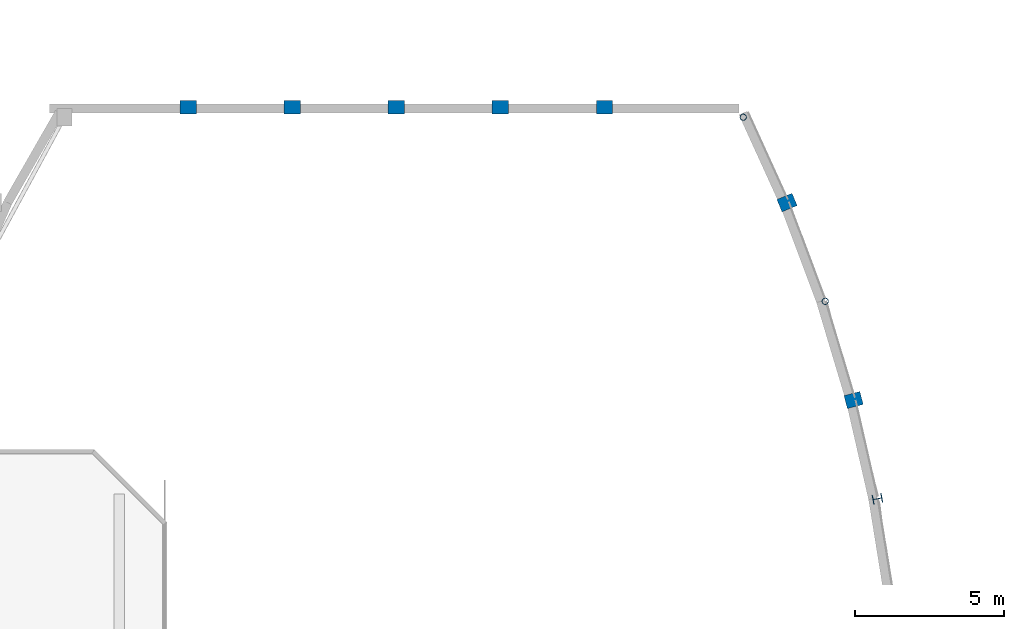
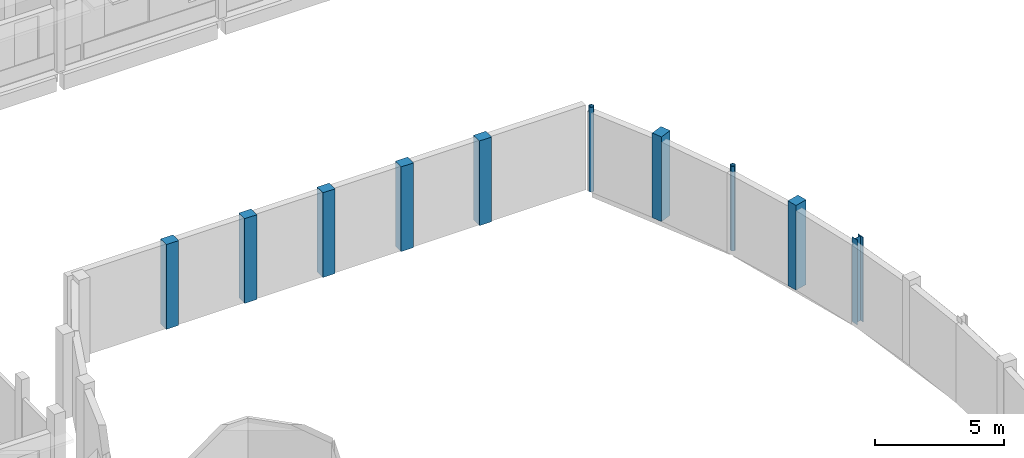
# One storey, part 14 of 92: 10 columns.
"""IFC4 building model written with IfcOpenShell, lengths in metres."""

from ifc_helpers import new_model, si_unit, direction, frame, origin, origin_2d, place, context, subcontext, project, spatial, rectangle, hollow_circle, i_section, extrude, material, material_profile, profile_set, type_object, element, save


model = new_model("IFC4")

# Units and contexts
model_context = context("Model", 3, precision=1e-05, world=origin(), true_north=direction((0.0, 1.0)))
body_context = subcontext(model_context, "Body", "Model", "MODEL_VIEW")
ifc_project = project(units=[si_unit("LENGTHUNIT", "METRE"), si_unit("AREAUNIT", "SQUARE_METRE"), si_unit("VOLUMEUNIT", "CUBIC_METRE"), si_unit("PLANEANGLEUNIT", "RADIAN"), si_unit("MASSUNIT", "GRAM", prefix="KILO")], contexts=[model_context])

# Site, building, storey
site_placement = place(None, origin())
site = spatial("IfcSite", under=ifc_project, at=site_placement, CompositionType="ELEMENT")
building_placement = place(site_placement, origin())
building = spatial("IfcBuilding", under=site, at=building_placement, Name="Kelanivale Promenade Academy", CompositionType="ELEMENT")
storey_placement = place(building_placement, frame((0.0, 0.0, 8.199951171875)))
storey = spatial("IfcBuildingStorey", under=building, at=storey_placement, Name="L02", CompositionType="ELEMENT", Elevation=8.199951171875)

# Columns
ifc_material_1 = material(Name="Concrete C40/50", Category="concrete")
ifc_material_profile_1 = material_profile(ifc_material_1, rectangle(XDim=0.449951171875, YDim=0.550048828125, at=origin_2d()), Name="RC-PIL 450x550")
ifc_profile_set_1 = profile_set([ifc_material_profile_1], Name="Concrete C40/50")
column_type_1 = type_object("IfcColumnType", Name="PL-17 RC-PIL 450x550", PredefinedType="PILASTER", material=ifc_profile_set_1)
for number, where, z_axis, x_axis, name in (
    (1, (132.30810546875, 79.280029296875, 0.0), (0.0, 0.0, 1.0), (0.0, 1.0, 0.0), "Column PL-17 at (132.3, 79.3) L02"),
    (2, (135.801025390625, 79.280029296875, 0.0), (0.0, 0.0, 1.0), (0.0, 1.0, 0.0), "Column PL-17 at (135.8, 79.3) L02"),
    (3, (139.2939453125, 79.280029296875, 0.0), (0.0, 0.0, 1.0), (0.0, 1.0, 0.0), "Column PL-17 at (139.3, 79.3) L02"),
    (4, (142.787109375, 79.280029296875, 0.0), (0.0, 0.0, 1.0), (0.0, 1.0, 0.0), "Column PL-17 at (142.8, 79.3) L02"),
    (5, (146.280029296875, 79.280029296875, 0.0), (0.0, 0.0, 1.0), (0.0, 1.0, 0.0), "Column PL-17 at (146.3, 79.3) L02"),
    (6, (152.406982421875, 76.0859375, 0.0), (0.0, 0.0, 1.0), (-0.382360914263, 0.92401305794, 0.0), "Column PL-17 at (152.4, 76.1) L02"),
    (7, (154.64208984375, 69.45703125, 0.0), (0.0, 0.0, 1.0), (-0.2549394954, 0.966957007154, 0.0), "Column PL-17 at (154.6, 69.5) L02"),
):
    element("IfcColumn", number, at=place(storey_placement, frame(where, z_axis=z_axis, x_axis=x_axis)), inside=storey, type_object=column_type_1, Name=name, PredefinedType="PILASTER", context=body_context, shape_type="SweptSolid", body=[
        extrude(rectangle(XDim=0.449951171875, YDim=0.550048828125, at=origin_2d()), origin(), (0.0, 0.0, 1.0), 4.0),
    ])
ifc_material_2 = material(Name="Steel S355", Category="steel")
ifc_material_profile_2 = material_profile(ifc_material_2, i_section(OverallWidth=0.307373046875, OverallDepth=0.314453125, WebThickness=0.011962890625, FlangeThickness=0.018798828125, FilletRadius=0.01513671875, at=origin_2d()), Name="UC 305x305x118")
ifc_profile_set_2 = profile_set([ifc_material_profile_2], Name="Steel S355")
column_type_2 = type_object("IfcColumnType", Name="SC-04 UC 305x305x118", PredefinedType="COLUMN", material=ifc_profile_set_2)
column_placement = place(storey_placement, frame((155.44091796875, 66.14306640625, 0.0), z_axis=(0.0, 0.0, 1.0), x_axis=(-0.191151636272, 0.981560518741, 0.0)))
element("IfcColumn", 8, at=column_placement, inside=storey, type_object=column_type_2, Name="Column SC-04 at (155.4, 66.1) L02", PredefinedType="COLUMN", context=body_context, shape_type="SweptSolid", body=[
    extrude(i_section(OverallWidth=0.307373046875, OverallDepth=0.314453125, WebThickness=0.011962890625, FlangeThickness=0.018798828125, FilletRadius=0.01513671875, at=origin_2d()), origin(), (0.0, 0.0, 1.0), 4.0),
])
ifc_material_profile_3 = material_profile(ifc_material_2, hollow_circle(Radius=0.109619140625, WallThickness=0.010009765625, at=origin_2d()), Name="CHS 219.1x10.0")
ifc_profile_set_3 = profile_set([ifc_material_profile_3], Name="Steel S355")
column_type_3 = type_object("IfcColumnType", Name="SC-06 CHS 219.1x10.0", PredefinedType="PILASTER", material=ifc_profile_set_3)
for number, where, z_axis, x_axis, name in (
    (9, (150.93798828125, 78.949951171875, 0.0), (0.0, 0.0, 1.0), (-0.44619781311, 0.894934361602, 0.0), "Column SC-06 at (150.9, 79.0) L02"),
    (10, (153.68896484375, 72.77099609375, 0.0), (0.0, 0.0, 1.0), (-0.318628456287, 0.947879690069, 0.0), "Column SC-06 at (153.7, 72.8) L02"),
):
    element("IfcColumn", number, at=place(storey_placement, frame(where, z_axis=z_axis, x_axis=x_axis)), inside=storey, type_object=column_type_3, Name=name, PredefinedType="PILASTER", context=body_context, shape_type="SweptSolid", body=[
        extrude(hollow_circle(Radius=0.109619140625, WallThickness=0.010009765625, at=origin_2d()), origin(), (0.0, 0.0, 1.0), 4.0),
    ])

save(model, "model.ifc")
